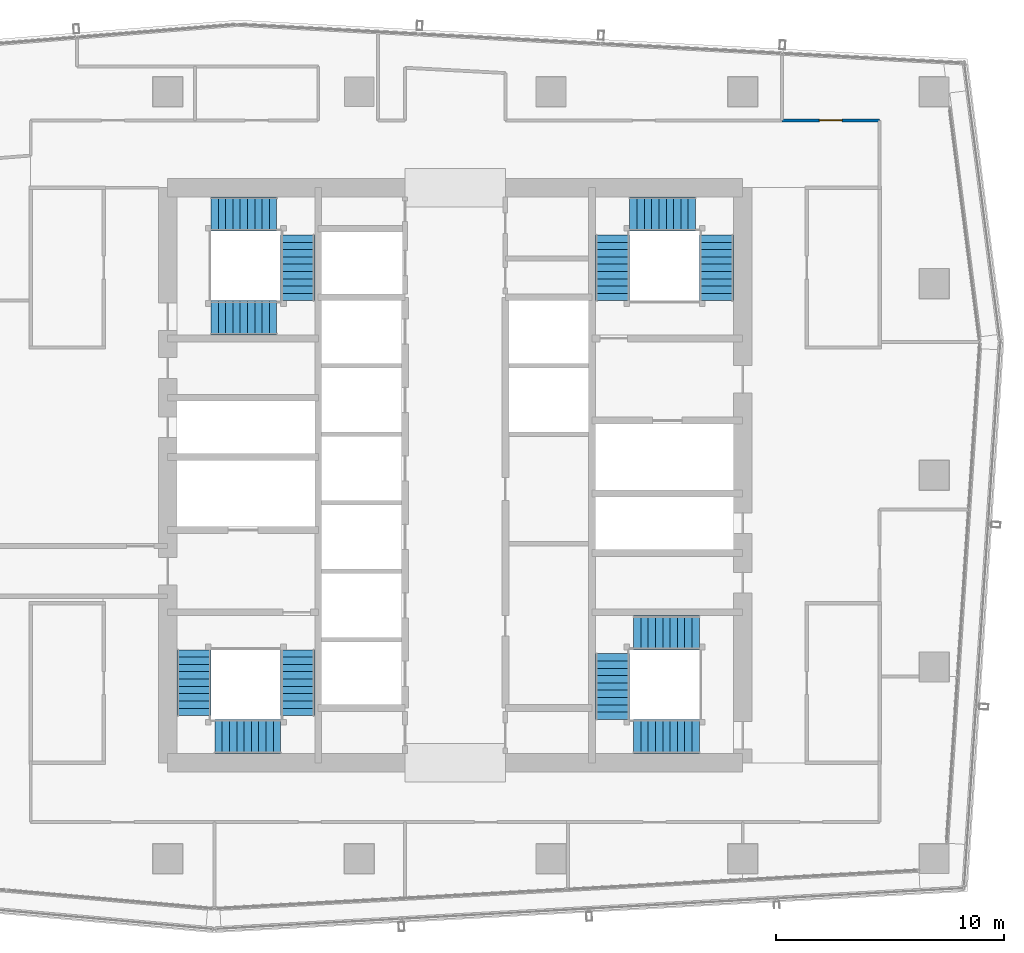
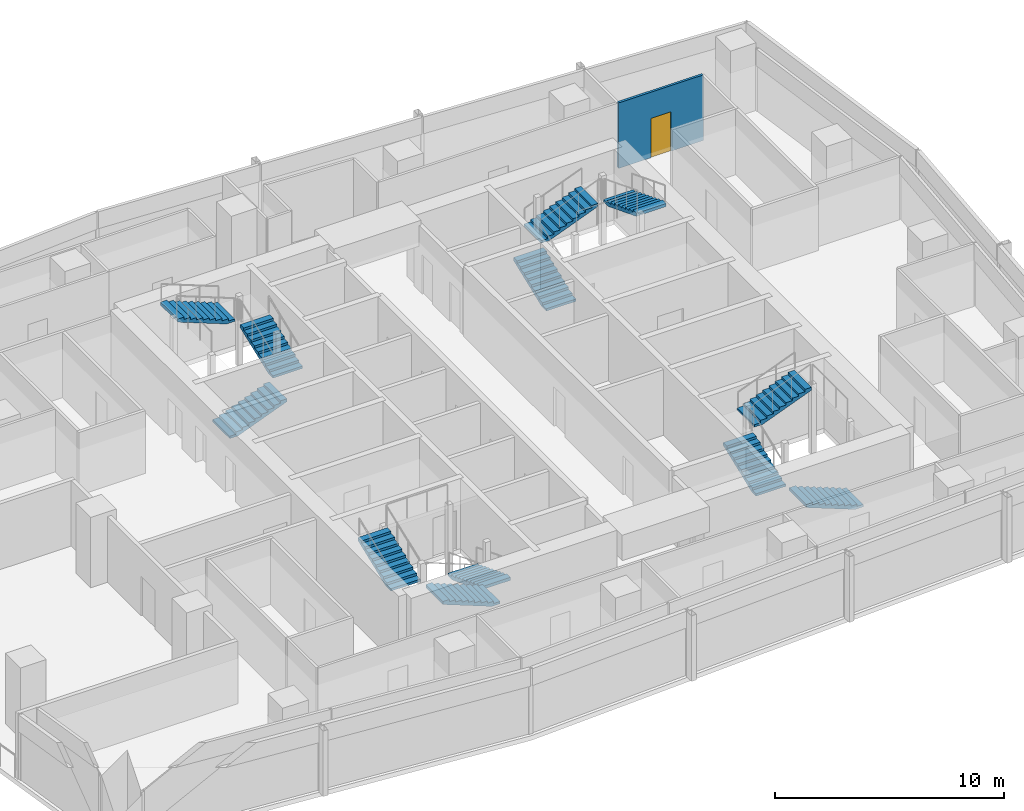
# One storey, part 23 of 28: 12 stair flights, 1 door, 1 wall, 1 opening, 4 elements without a shape of their own.
"""IFC4 building model written with IfcOpenShell, lengths in metres."""

import ifcopenshell
import ifcopenshell.guid

model = None  # the IFC model being written
_history = None  # IfcOwnerHistory: only IFC2X3 demands one
_inside = {}  # id of a spatial element -> (the spatial element, [elements in it])
_under = {}  # id of a project, library or spatial element -> (it, [spatial elements below it])
_declared = {}  # id of a project -> (the project, [libraries it declares])
_typed = {}  # id of a type object -> (the type object, [elements of that type])
_made_of = {}  # id of a material, layer set ... -> (it, [elements and type objects made of it])


def new_model(schema):
    """Start an empty IFC model of exactly this schema.

    Asked for "IFC4X3", IfcOpenShell would pick the latest addendum, in which some entities
    have other attributes; the version numbers below select the first issue.
    IFC2X3 requires an IfcOwnerHistory on every rooted entity: one is made here for all.
    """
    global model, _history
    if schema == "IFC4X3":
        model = ifcopenshell.file(schema_version=(4, 3, 0, 0))
    else:
        model = ifcopenshell.file(schema=schema)
    _inside.clear()
    _under.clear()
    _declared.clear()
    _typed.clear()
    _made_of.clear()
    _history = None
    if model.schema == "IFC2X3":
        org = make("IfcOrganization", Name="unknown")
        user = make(
            "IfcPersonAndOrganization",
            ThePerson=make("IfcPerson", FamilyName="unknown"),
            TheOrganization=org,
        )
        app = make(
            "IfcApplication",
            ApplicationDeveloper=org,
            Version="unknown",
            ApplicationFullName="unknown",
            ApplicationIdentifier="unknown",
        )
        _history = make(
            "IfcOwnerHistory",
            OwningUser=user,
            OwningApplication=app,
            ChangeAction="ADDED",
            CreationDate=0,
        )
    return model


def make(cls, **values):
    """One entity of the class cls with the attributes given. An attribute that is None is left unset."""
    return model.create_entity(
        cls, **{name: value for name, value in values.items() if value is not None}
    )


def rooted(cls, **values):
    """An entity with a GlobalId (a new one), such as an element, a storey or a relation."""
    return make(cls, GlobalId=ifcopenshell.guid.new(), OwnerHistory=_history, **values)


def si_unit(unit_type, name, prefix=None):
    """IfcSIUnit, for example si_unit("LENGTHUNIT", "METRE", prefix="MILLI")."""
    return make("IfcSIUnit", UnitType=unit_type, Prefix=prefix, Name=name)


def assignment(units):
    """IfcUnitAssignment: the units of a project."""
    return None if units is None else make("IfcUnitAssignment", Units=units)


def point(xyz):
    """IfcCartesianPoint."""
    return None if xyz is None else make("IfcCartesianPoint", Coordinates=xyz)


def direction(xyz):
    """IfcDirection."""
    return None if xyz is None else make("IfcDirection", DirectionRatios=xyz)


def frame(location, z_axis=None, x_axis=None):
    """IfcAxis2Placement3D, a coordinate frame: its origin and axes. An axis left out is left unset."""
    return make(
        "IfcAxis2Placement3D",
        Location=point(location),
        Axis=direction(z_axis),
        RefDirection=direction(x_axis),
    )


def frame_2d(location, x_axis=None):
    """IfcAxis2Placement2D, a coordinate frame in the plane: its origin and x axis."""
    return make(
        "IfcAxis2Placement2D", Location=point(location), RefDirection=direction(x_axis)
    )


def origin():
    """The frame at (0, 0, 0) with its axes left unset."""
    return frame((0.0, 0.0, 0.0))


def place(relative_to, where):
    """IfcLocalPlacement: puts the frame where relative to a parent placement (None: the world)."""
    return make(
        "IfcLocalPlacement", PlacementRelTo=relative_to, RelativePlacement=where
    )


def context(
    kind, dimensions, precision=None, world=None, true_north=None, identifier=None
):
    """IfcGeometricRepresentationContext, for example the 3D "Model" context."""
    return make(
        "IfcGeometricRepresentationContext",
        ContextIdentifier=identifier,
        ContextType=kind,
        CoordinateSpaceDimension=dimensions,
        Precision=precision,
        WorldCoordinateSystem=world,
        TrueNorth=true_north,
    )


def subcontext(parent, identifier, kind, view, scale=None):
    """IfcGeometricRepresentationSubContext, for example "Body" below "Model"."""
    return make(
        "IfcGeometricRepresentationSubContext",
        ContextIdentifier=identifier,
        ContextType=kind,
        ParentContext=parent,
        TargetScale=scale,
        TargetView=view,
    )


def project(units=None, contexts=None):
    """IfcProject with its units and contexts."""
    return rooted(
        "IfcProject",
        Name="project",
        RepresentationContexts=contexts,
        UnitsInContext=assignment(units),
    )


def spatial(cls, under=None, at=None, **own):
    """A site, building, storey or space (cls), placed at a placement, below another one or the project."""
    s = rooted(cls, ObjectPlacement=at, **own)
    if under is not None:
        _under.setdefault(under.id(), (under, []))[1].append(s)
    return s


def polyline(points):
    """IfcPolyline through the points."""
    return make("IfcPolyline", Points=[point(p) for p in points])


def profile(cls, at=None, kind="AREA", **sizes):
    """A parametric profile (cls). Its sizes go by their IFC names, for example OverallWidth=200.0."""
    return make(cls, ProfileType=kind, Position=at, **sizes)


def rectangle(**sizes):
    """IfcRectangleProfileDef."""
    return profile("IfcRectangleProfileDef", **sizes)


def outline(outer, holes=None, kind="AREA"):
    """IfcArbitraryClosedProfileDef: a profile drawn as a closed curve; with holes, ...WithVoids."""
    if holes is None:
        return make("IfcArbitraryClosedProfileDef", ProfileType=kind, OuterCurve=outer)
    return make(
        "IfcArbitraryProfileDefWithVoids",
        ProfileType=kind,
        OuterCurve=outer,
        InnerCurves=holes,
    )


def extrude(swept, where, along, depth):
    """IfcExtrudedAreaSolid: the profile swept, set in the frame where, extruded along a direction by depth."""
    return make(
        "IfcExtrudedAreaSolid",
        SweptArea=swept,
        Position=where,
        ExtrudedDirection=direction(along),
        Depth=depth,
    )


def shape(context_of_items, identifier, shape_type, items):
    """IfcShapeRepresentation: the items that make up one representation, for example the "Body"."""
    return make(
        "IfcShapeRepresentation",
        ContextOfItems=context_of_items,
        RepresentationIdentifier=identifier,
        RepresentationType=shape_type,
        Items=items,
    )


def material(Name=None, Category=None):
    """IfcMaterial."""
    return make("IfcMaterial", Name=Name, Category=Category)


def layer(
    of_material, thickness, ventilated=None, Name=None, Category=None, Priority=None
):
    """IfcMaterialLayer: one layer of a wall or slab, of a material (None: an air gap)."""
    return make(
        "IfcMaterialLayer",
        Material=of_material,
        LayerThickness=thickness,
        IsVentilated=ventilated,
        Name=Name,
        Category=Category,
        Priority=Priority,
    )


def layer_set(layers, Name=None):
    """IfcMaterialLayerSet."""
    return make("IfcMaterialLayerSet", MaterialLayers=layers, LayerSetName=Name)


def made_of(thing, what):
    """Note that an element or type object is made of a material, layer set ...; save() writes the relation."""
    if what is not None:
        _made_of.setdefault(what.id(), (what, []))[1].append(thing)
    return thing


def type_object(cls, material=None, **own):
    """A type object (cls), such as IfcWallType, which elements share."""
    return made_of(rooted(cls, **own), material)


def element(
    cls,
    number,
    at=None,
    inside=None,
    cuts=None,
    type_object=None,
    material=None,
    context=None,
    identifier="Body",
    shape_type=None,
    held_by="IfcProductDefinitionShape",
    body=None,
    shapes=None,
    **own,
):
    """One element of the class cls, such as IfcWall. Its Tag is "e" and its number.

    at: its placement. inside: the storey or other place that contains it. cuts: it is an
    opening in that element (IfcRelVoidsElement). A single representation is given by context,
    identifier, shape_type and body (its items); several are given by shapes. held_by: the class
    of the entity that holds the representations. save() writes the other relations.
    """
    e = rooted(cls, Tag="e%d" % number, ObjectPlacement=at, **own)
    if body is not None:
        shapes = [shape(context, identifier, shape_type, body)]
    if shapes is not None:
        e.Representation = make(held_by, Representations=shapes)
    if inside is not None:
        _inside.setdefault(inside.id(), (inside, []))[1].append(e)
    if cuts is not None:
        rooted(
            "IfcRelVoidsElement", RelatingBuildingElement=cuts, RelatedOpeningElement=e
        )
    if type_object is not None:
        _typed.setdefault(type_object.id(), (type_object, []))[1].append(e)
    return made_of(e, material)


def fill(opening, filler):
    """IfcRelFillsElement: the door or window that sits in an opening."""
    return rooted(
        "IfcRelFillsElement",
        RelatingOpeningElement=opening,
        RelatedBuildingElement=filler,
    )


def aggregate(whole, parts):
    """IfcRelAggregates: a whole, such as a stair, and the parts it consists of."""
    return rooted("IfcRelAggregates", RelatingObject=whole, RelatedObjects=parts)


def save(model, path):
    """Write the relations noted so far, then the file.

    IfcRelAggregates (storeys below a building ...), IfcRelContainedInSpatialStructure (elements
    in a storey), IfcRelDefinesByType, IfcRelAssociatesMaterial and IfcRelDeclares: one each for
    every whole, place, type object, material and project.
    """
    for whole, parts in _under.values():
        aggregate(whole, parts)
    for where, things in _inside.values():
        rooted(
            "IfcRelContainedInSpatialStructure",
            RelatedElements=things,
            RelatingStructure=where,
        )
    for kind, things in _typed.values():
        rooted("IfcRelDefinesByType", RelatedObjects=things, RelatingType=kind)
    for what, things in _made_of.values():
        rooted("IfcRelAssociatesMaterial", RelatedObjects=things, RelatingMaterial=what)
    for by, libraries in _declared.values():
        rooted("IfcRelDeclares", RelatingContext=by, RelatedDefinitions=libraries)
    model.write(path)


model = new_model("IFC4")

# Units and contexts
model_context = context("Model", 3, precision=1e-05, world=origin(), true_north=direction((0.0, 1.0)))
body_context = subcontext(model_context, "Body", "Model", "MODEL_VIEW")
ifc_project = project(units=[si_unit("LENGTHUNIT", "METRE"), si_unit("AREAUNIT", "SQUARE_METRE"), si_unit("VOLUMEUNIT", "CUBIC_METRE"), si_unit("PLANEANGLEUNIT", "RADIAN"), si_unit("MASSUNIT", "GRAM", prefix="KILO")], contexts=[model_context])

# Site, building, storey
site_placement = place(None, origin())
site = spatial("IfcSite", under=ifc_project, at=site_placement, CompositionType="ELEMENT")
building_placement = place(site_placement, origin())
building = spatial("IfcBuilding", under=site, at=building_placement, Name="Rekha Terrace Tower", CompositionType="ELEMENT")
storey_placement = place(building_placement, frame((0.0, 0.0, 268.85009765625)))
storey = spatial("IfcBuildingStorey", under=building, at=storey_placement, Name="L68", CompositionType="ELEMENT", Elevation=268.85009765625)

# Wall, opening, door
ifc_material_1 = material(Name="Two layers of fire-rated gypsum board each side on steel studs, acoustic quilt, 1 hour", Category="steel")
ifc_layer = layer(ifc_material_1, 0.125)
ifc_layer_set = layer_set([ifc_layer], Name="Two layers of fire-rated gypsum board each side on steel studs, acoustic quilt, 1 hour")
wall_type = type_object("IfcWallType", Name="WP3 125 office partition", PredefinedType="PARTITIONING", material=ifc_layer_set)
wall_placement = place(storey_placement, frame((56.39990234375, 49.14990234375, 0.0), z_axis=(0.0, 0.0, 1.0), x_axis=(-1.0, 0.0, 0.0)))
wall = element("IfcWall", 1, at=wall_placement, inside=storey, type_object=wall_type, Name="Partition L68-08", PredefinedType="PARTITIONING", context=body_context, shape_type="SweptSolid", body=[
    extrude(rectangle(XDim=4.27685546875, YDim=0.125, at=frame_2d((2.138427734375, 0.0))), origin(), (0.0, 0.0, 1.0), 3.5),
])
opening_placement = place(wall_placement, frame((1.638916015625, 0.0, 0.0)))
opening = element("IfcOpeningElement", 2, at=opening_placement, cuts=wall, Name="Opening D9", PredefinedType="OPENING", context=body_context, shape_type="SweptSolid", body=[
    extrude(rectangle(XDim=1.0, YDim=2.10009765625, at=frame_2d((0.5, 1.050048828125))), frame((0.0, 0.072509765625, 0.0), z_axis=(0.0, -1.0, 0.0), x_axis=(1.0, 0.0, 0.0)), (0.0, 0.0, 1.0), 0.14501953125),
])
ifc_material_2 = material(Name="Timber fire door", Category="wood")
door_type = type_object("IfcDoorType", Name="D9 1000x2100 office door", OperationType="SINGLE_SWING_LEFT", PredefinedType="DOOR", material=ifc_material_2)
door_placement = place(opening_placement, origin())
door = element("IfcDoor", 3, at=door_placement, inside=storey, type_object=door_type, Name="Door director's office L68", OperationType="SINGLE_SWING_LEFT", OverallHeight=2.10009765625, OverallWidth=1.0, PredefinedType="DOOR", context=body_context, shape_type="SweptSolid", body=[
    extrude(rectangle(XDim=1.0, YDim=2.10009765625, at=frame_2d((0.5, 1.050048828125))), frame((0.0, 0.02490234375, 0.0), z_axis=(0.0, -1.0, 0.0), x_axis=(1.0, 0.0, 0.0)), (0.0, 0.0, 1.0), 0.050048828125),
])
fill(opening, door)

# Stair, stair flights
ifc_material_3 = material(Name="Concrete M40", Category="concrete")
stair_type = type_object("IfcStairType", Name="ST30 stair, 30 risers of 125, going 320, 1500 wide flights, 3 flights", PredefinedType="HALF_TURN_STAIR", material=ifc_material_3)
stair_1_placement = place(storey_placement, origin())
stair_1 = element("IfcStair", 4, at=stair_1_placement, inside=storey, type_object=stair_type, Name="Stair ST1 L68 to L69", PredefinedType="HALF_TURN_STAIR")
stair_flight_type = type_object("IfcStairFlightType", Name="SF10 stair flight, 10 risers of 125, going 320, 1500 wide", PredefinedType="STRAIGHT", material=ifc_material_3)
stair_flight_1_placement = place(storey_placement, frame((30.89990234375, 25.949951171875, 0.0), z_axis=(0.0, 0.0, 1.0), x_axis=(0.0, -1.0, 0.0)))
stair_flight_1 = element("IfcStairFlight", 5, at=stair_flight_1_placement, type_object=stair_flight_type, Name="ST1 flight 1", NumberOfRisers=10, NumberOfTreads=9, PredefinedType="STRAIGHT", RiserHeight=0.125, TreadLength=0.32, context=body_context, shape_type="SweptSolid", body=[
    extrude(outline(polyline([(0.0, 0.0), (0.0, 0.125), (0.320068359375, 0.125), (0.320068359375, 0.25), (0.639892578125, 0.25), (0.639892578125, 0.375), (0.9599609375, 0.375), (0.9599609375, 0.5), (1.280029296875, 0.5), (1.280029296875, 0.625), (1.60009765625, 0.625), (1.60009765625, 0.75), (1.919921875, 0.75), (1.919921875, 0.875), (2.239990234375, 0.875), (2.239990234375, 1.0), (2.56005859375, 1.0), (2.56005859375, 1.125), (2.8798828125, 1.125), (2.8798828125, 1.25), (2.8798828125, 0.964111328125), (0.412109375, 0.0), (0.0, 0.0)])), frame((0.0, 0.75, 0.0), z_axis=(0.0, -1.0, 0.0), x_axis=(1.0, 0.0, 0.0)), (0.0, 0.0, 1.0), 1.5),
])
stair_flight_2_placement = place(storey_placement, frame((30.14990234375, 22.14990234375, 1.25), z_axis=(0.0, 0.0, 1.0), x_axis=(-1.0, 0.0, 0.0)))
stair_flight_2 = element("IfcStairFlight", 6, at=stair_flight_2_placement, type_object=stair_flight_type, Name="ST1 flight 2", NumberOfRisers=10, NumberOfTreads=9, PredefinedType="STRAIGHT", RiserHeight=0.125, TreadLength=0.32, context=body_context, shape_type="SweptSolid", body=[
    extrude(outline(polyline([(0.0, 0.0), (0.0, 0.125), (0.320068359375, 0.125), (0.320068359375, 0.25), (0.639892578125, 0.25), (0.639892578125, 0.375), (0.9599609375, 0.375), (0.9599609375, 0.5), (1.280029296875, 0.5), (1.280029296875, 0.625), (1.60009765625, 0.625), (1.60009765625, 0.75), (1.919921875, 0.75), (1.919921875, 0.875), (2.239990234375, 0.875), (2.239990234375, 1.0), (2.56005859375, 1.0), (2.56005859375, 1.125), (2.8798828125, 1.125), (2.8798828125, 1.25), (2.8798828125, 0.964111328125), (0.412109375, 0.0), (0.0, 0.0)])), frame((0.0, 0.75, 0.0), z_axis=(0.0, -1.0, 0.0), x_axis=(1.0, 0.0, 0.0)), (0.0, 0.0, 1.0), 1.5),
])
stair_flight_3_placement = place(storey_placement, frame((26.35009765625, 23.070068359375, 2.5), z_axis=(0.0, 0.0, 1.0), x_axis=(0.0, 1.0, 0.0)))
stair_flight_3 = element("IfcStairFlight", 7, at=stair_flight_3_placement, type_object=stair_flight_type, Name="ST1 flight 3", NumberOfRisers=10, NumberOfTreads=9, PredefinedType="STRAIGHT", RiserHeight=0.125, TreadLength=0.32, context=body_context, shape_type="SweptSolid", body=[
    extrude(outline(polyline([(0.0, 0.0), (0.0, 0.125), (0.320068359375, 0.125), (0.320068359375, 0.25), (0.639892578125, 0.25), (0.639892578125, 0.375), (0.9599609375, 0.375), (0.9599609375, 0.5), (1.280029296875, 0.5), (1.280029296875, 0.625), (1.60009765625, 0.625), (1.60009765625, 0.75), (1.919921875, 0.75), (1.919921875, 0.875), (2.239990234375, 0.875), (2.239990234375, 1.0), (2.56005859375, 1.0), (2.56005859375, 1.125), (2.8798828125, 1.125), (2.8798828125, 1.25), (2.8798828125, 0.964111328125), (0.412109375, 0.0), (0.0, 0.0)])), frame((0.0, 0.75, 0.0), z_axis=(0.0, -1.0, 0.0), x_axis=(1.0, 0.0, 0.0)), (0.0, 0.0, 1.0), 1.5),
])
aggregate(stair_1, [stair_flight_1, stair_flight_2, stair_flight_3])

stair_2_placement = place(storey_placement, origin())
stair_2 = element("IfcStair", 8, at=stair_2_placement, inside=storey, type_object=stair_type, Name="Stair ST2 L68 to L69", PredefinedType="HALF_TURN_STAIR")
stair_flight_4_placement = place(storey_placement, frame((44.699951171875, 41.25, 0.0), z_axis=(0.0, 0.0, 1.0), x_axis=(0.0, 1.0, 0.0)))
stair_flight_4 = element("IfcStairFlight", 9, at=stair_flight_4_placement, type_object=stair_flight_type, Name="ST2 flight 1", NumberOfRisers=10, NumberOfTreads=9, PredefinedType="STRAIGHT", RiserHeight=0.125, TreadLength=0.32, context=body_context, shape_type="SweptSolid", body=[
    extrude(outline(polyline([(0.0, 0.0), (0.0, 0.125), (0.320068359375, 0.125), (0.320068359375, 0.25), (0.639892578125, 0.25), (0.639892578125, 0.375), (0.9599609375, 0.375), (0.9599609375, 0.5), (1.280029296875, 0.5), (1.280029296875, 0.625), (1.60009765625, 0.625), (1.60009765625, 0.75), (1.919921875, 0.75), (1.919921875, 0.875), (2.239990234375, 0.875), (2.239990234375, 1.0), (2.56005859375, 1.0), (2.56005859375, 1.125), (2.8798828125, 1.125), (2.8798828125, 1.25), (2.8798828125, 0.964111328125), (0.412109375, 0.0), (0.0, 0.0)])), frame((0.0, 0.75, 0.0), z_axis=(0.0, -1.0, 0.0), x_axis=(1.0, 0.0, 0.0)), (0.0, 0.0, 1.0), 1.5),
])
stair_flight_5_placement = place(storey_placement, frame((45.449951171875, 45.050048828125, 1.25), z_axis=(0.0, 0.0, 1.0), x_axis=(1.0, 0.0, 0.0)))
stair_flight_5 = element("IfcStairFlight", 10, at=stair_flight_5_placement, type_object=stair_flight_type, Name="ST2 flight 2", NumberOfRisers=10, NumberOfTreads=9, PredefinedType="STRAIGHT", RiserHeight=0.125, TreadLength=0.32, context=body_context, shape_type="SweptSolid", body=[
    extrude(outline(polyline([(0.0, 0.0), (0.0, 0.125), (0.320068359375, 0.125), (0.320068359375, 0.25), (0.639892578125, 0.25), (0.639892578125, 0.375), (0.9599609375, 0.375), (0.9599609375, 0.5), (1.280029296875, 0.5), (1.280029296875, 0.625), (1.60009765625, 0.625), (1.60009765625, 0.75), (1.919921875, 0.75), (1.919921875, 0.875), (2.239990234375, 0.875), (2.239990234375, 1.0), (2.56005859375, 1.0), (2.56005859375, 1.125), (2.8798828125, 1.125), (2.8798828125, 1.25), (2.8798828125, 0.964111328125), (0.412109375, 0.0), (0.0, 0.0)])), frame((0.0, 0.75, 0.0), z_axis=(0.0, -1.0, 0.0), x_axis=(1.0, 0.0, 0.0)), (0.0, 0.0, 1.0), 1.5),
])
stair_flight_6_placement = place(storey_placement, frame((49.25, 44.1298828125, 2.5), z_axis=(0.0, 0.0, 1.0), x_axis=(0.0, -1.0, 0.0)))
stair_flight_6 = element("IfcStairFlight", 11, at=stair_flight_6_placement, type_object=stair_flight_type, Name="ST2 flight 3", NumberOfRisers=10, NumberOfTreads=9, PredefinedType="STRAIGHT", RiserHeight=0.125, TreadLength=0.32, context=body_context, shape_type="SweptSolid", body=[
    extrude(outline(polyline([(0.0, 0.0), (0.0, 0.125), (0.320068359375, 0.125), (0.320068359375, 0.25), (0.639892578125, 0.25), (0.639892578125, 0.375), (0.9599609375, 0.375), (0.9599609375, 0.5), (1.280029296875, 0.5), (1.280029296875, 0.625), (1.60009765625, 0.625), (1.60009765625, 0.75), (1.919921875, 0.75), (1.919921875, 0.875), (2.239990234375, 0.875), (2.239990234375, 1.0), (2.56005859375, 1.0), (2.56005859375, 1.125), (2.8798828125, 1.125), (2.8798828125, 1.25), (2.8798828125, 0.964111328125), (0.412109375, 0.0), (0.0, 0.0)])), frame((0.0, 0.75, 0.0), z_axis=(0.0, -1.0, 0.0), x_axis=(1.0, 0.0, 0.0)), (0.0, 0.0, 1.0), 1.5),
])
aggregate(stair_2, [stair_flight_4, stair_flight_5, stair_flight_6])

stair_3_placement = place(storey_placement, origin())
stair_3 = element("IfcStair", 12, at=stair_3_placement, inside=storey, type_object=stair_type, Name="Stair ST3 L68 to L69", PredefinedType="HALF_TURN_STAIR")
stair_flight_7_placement = place(storey_placement, frame((48.5, 22.14990234375, 0.0), z_axis=(0.0, 0.0, 1.0), x_axis=(-1.0, 0.0, 0.0)))
stair_flight_7 = element("IfcStairFlight", 13, at=stair_flight_7_placement, type_object=stair_flight_type, Name="ST3 flight 1", NumberOfRisers=10, NumberOfTreads=9, PredefinedType="STRAIGHT", RiserHeight=0.125, TreadLength=0.32, context=body_context, shape_type="SweptSolid", body=[
    extrude(outline(polyline([(0.0, 0.0), (0.0, 0.125), (0.320068359375, 0.125), (0.320068359375, 0.25), (0.639892578125, 0.25), (0.639892578125, 0.375), (0.9599609375, 0.375), (0.9599609375, 0.5), (1.280029296875, 0.5), (1.280029296875, 0.625), (1.60009765625, 0.625), (1.60009765625, 0.75), (1.919921875, 0.75), (1.919921875, 0.875), (2.239990234375, 0.875), (2.239990234375, 1.0), (2.56005859375, 1.0), (2.56005859375, 1.125), (2.8798828125, 1.125), (2.8798828125, 1.25), (2.8798828125, 0.964111328125), (0.412109375, 0.0), (0.0, 0.0)])), frame((0.0, 0.75, 0.0), z_axis=(0.0, -1.0, 0.0), x_axis=(1.0, 0.0, 0.0)), (0.0, 0.0, 1.0), 1.5),
])
stair_flight_8_placement = place(storey_placement, frame((44.699951171875, 22.89990234375, 1.25), z_axis=(0.0, 0.0, 1.0), x_axis=(0.0, 1.0, 0.0)))
stair_flight_8 = element("IfcStairFlight", 14, at=stair_flight_8_placement, type_object=stair_flight_type, Name="ST3 flight 2", NumberOfRisers=10, NumberOfTreads=9, PredefinedType="STRAIGHT", RiserHeight=0.125, TreadLength=0.32, context=body_context, shape_type="SweptSolid", body=[
    extrude(outline(polyline([(0.0, 0.0), (0.0, 0.125), (0.320068359375, 0.125), (0.320068359375, 0.25), (0.639892578125, 0.25), (0.639892578125, 0.375), (0.9599609375, 0.375), (0.9599609375, 0.5), (1.280029296875, 0.5), (1.280029296875, 0.625), (1.60009765625, 0.625), (1.60009765625, 0.75), (1.919921875, 0.75), (1.919921875, 0.875), (2.239990234375, 0.875), (2.239990234375, 1.0), (2.56005859375, 1.0), (2.56005859375, 1.125), (2.8798828125, 1.125), (2.8798828125, 1.25), (2.8798828125, 0.964111328125), (0.412109375, 0.0), (0.0, 0.0)])), frame((0.0, 0.75, 0.0), z_axis=(0.0, -1.0, 0.0), x_axis=(1.0, 0.0, 0.0)), (0.0, 0.0, 1.0), 1.5),
])
stair_flight_9_placement = place(storey_placement, frame((45.6201171875, 26.699951171875, 2.5), z_axis=(0.0, 0.0, 1.0), x_axis=(1.0, 0.0, 0.0)))
stair_flight_9 = element("IfcStairFlight", 15, at=stair_flight_9_placement, type_object=stair_flight_type, Name="ST3 flight 3", NumberOfRisers=10, NumberOfTreads=9, PredefinedType="STRAIGHT", RiserHeight=0.125, TreadLength=0.32, context=body_context, shape_type="SweptSolid", body=[
    extrude(outline(polyline([(0.0, 0.0), (0.0, 0.125), (0.320068359375, 0.125), (0.320068359375, 0.25), (0.639892578125, 0.25), (0.639892578125, 0.375), (0.9599609375, 0.375), (0.9599609375, 0.5), (1.280029296875, 0.5), (1.280029296875, 0.625), (1.60009765625, 0.625), (1.60009765625, 0.75), (1.919921875, 0.75), (1.919921875, 0.875), (2.239990234375, 0.875), (2.239990234375, 1.0), (2.56005859375, 1.0), (2.56005859375, 1.125), (2.8798828125, 1.125), (2.8798828125, 1.25), (2.8798828125, 0.964111328125), (0.412109375, 0.0), (0.0, 0.0)])), frame((0.0, 0.75, 0.0), z_axis=(0.0, -1.0, 0.0), x_axis=(1.0, 0.0, 0.0)), (0.0, 0.0, 1.0), 1.5),
])
aggregate(stair_3, [stair_flight_7, stair_flight_8, stair_flight_9])

stair_4_placement = place(storey_placement, origin())
stair_4 = element("IfcStair", 16, at=stair_4_placement, inside=storey, type_object=stair_type, Name="Stair ST4 L68 to L69", PredefinedType="HALF_TURN_STAIR")
stair_flight_10_placement = place(storey_placement, frame((27.10009765625, 40.5, 0.0), z_axis=(0.0, 0.0, 1.0), x_axis=(1.0, 0.0, 0.0)))
stair_flight_10 = element("IfcStairFlight", 17, at=stair_flight_10_placement, type_object=stair_flight_type, Name="ST4 flight 1", NumberOfRisers=10, NumberOfTreads=9, PredefinedType="STRAIGHT", RiserHeight=0.125, TreadLength=0.32, context=body_context, shape_type="SweptSolid", body=[
    extrude(outline(polyline([(0.0, 0.0), (0.0, 0.125), (0.320068359375, 0.125), (0.320068359375, 0.25), (0.639892578125, 0.25), (0.639892578125, 0.375), (0.9599609375, 0.375), (0.9599609375, 0.5), (1.280029296875, 0.5), (1.280029296875, 0.625), (1.60009765625, 0.625), (1.60009765625, 0.75), (1.919921875, 0.75), (1.919921875, 0.875), (2.239990234375, 0.875), (2.239990234375, 1.0), (2.56005859375, 1.0), (2.56005859375, 1.125), (2.8798828125, 1.125), (2.8798828125, 1.25), (2.8798828125, 0.964111328125), (0.412109375, 0.0), (0.0, 0.0)])), frame((0.0, 0.75, 0.0), z_axis=(0.0, -1.0, 0.0), x_axis=(1.0, 0.0, 0.0)), (0.0, 0.0, 1.0), 1.5),
])
stair_flight_11_placement = place(storey_placement, frame((30.89990234375, 41.25, 1.25), z_axis=(0.0, 0.0, 1.0), x_axis=(0.0, 1.0, 0.0)))
stair_flight_11 = element("IfcStairFlight", 18, at=stair_flight_11_placement, type_object=stair_flight_type, Name="ST4 flight 2", NumberOfRisers=10, NumberOfTreads=9, PredefinedType="STRAIGHT", RiserHeight=0.125, TreadLength=0.32, context=body_context, shape_type="SweptSolid", body=[
    extrude(outline(polyline([(0.0, 0.0), (0.0, 0.125), (0.320068359375, 0.125), (0.320068359375, 0.25), (0.639892578125, 0.25), (0.639892578125, 0.375), (0.9599609375, 0.375), (0.9599609375, 0.5), (1.280029296875, 0.5), (1.280029296875, 0.625), (1.60009765625, 0.625), (1.60009765625, 0.75), (1.919921875, 0.75), (1.919921875, 0.875), (2.239990234375, 0.875), (2.239990234375, 1.0), (2.56005859375, 1.0), (2.56005859375, 1.125), (2.8798828125, 1.125), (2.8798828125, 1.25), (2.8798828125, 0.964111328125), (0.412109375, 0.0), (0.0, 0.0)])), frame((0.0, 0.75, 0.0), z_axis=(0.0, -1.0, 0.0), x_axis=(1.0, 0.0, 0.0)), (0.0, 0.0, 1.0), 1.5),
])
stair_flight_12_placement = place(storey_placement, frame((29.97998046875, 45.050048828125, 2.5), z_axis=(0.0, 0.0, 1.0), x_axis=(-1.0, 0.0, 0.0)))
stair_flight_12 = element("IfcStairFlight", 19, at=stair_flight_12_placement, type_object=stair_flight_type, Name="ST4 flight 3", NumberOfRisers=10, NumberOfTreads=9, PredefinedType="STRAIGHT", RiserHeight=0.125, TreadLength=0.32, context=body_context, shape_type="SweptSolid", body=[
    extrude(outline(polyline([(0.0, 0.0), (0.0, 0.125), (0.320068359375, 0.125), (0.320068359375, 0.25), (0.639892578125, 0.25), (0.639892578125, 0.375), (0.9599609375, 0.375), (0.9599609375, 0.5), (1.280029296875, 0.5), (1.280029296875, 0.625), (1.60009765625, 0.625), (1.60009765625, 0.75), (1.919921875, 0.75), (1.919921875, 0.875), (2.239990234375, 0.875), (2.239990234375, 1.0), (2.56005859375, 1.0), (2.56005859375, 1.125), (2.8798828125, 1.125), (2.8798828125, 1.25), (2.8798828125, 0.964111328125), (0.412109375, 0.0), (0.0, 0.0)])), frame((0.0, 0.75, 0.0), z_axis=(0.0, -1.0, 0.0), x_axis=(1.0, 0.0, 0.0)), (0.0, 0.0, 1.0), 1.5),
])
aggregate(stair_4, [stair_flight_10, stair_flight_11, stair_flight_12])

save(model, "model.ifc")
